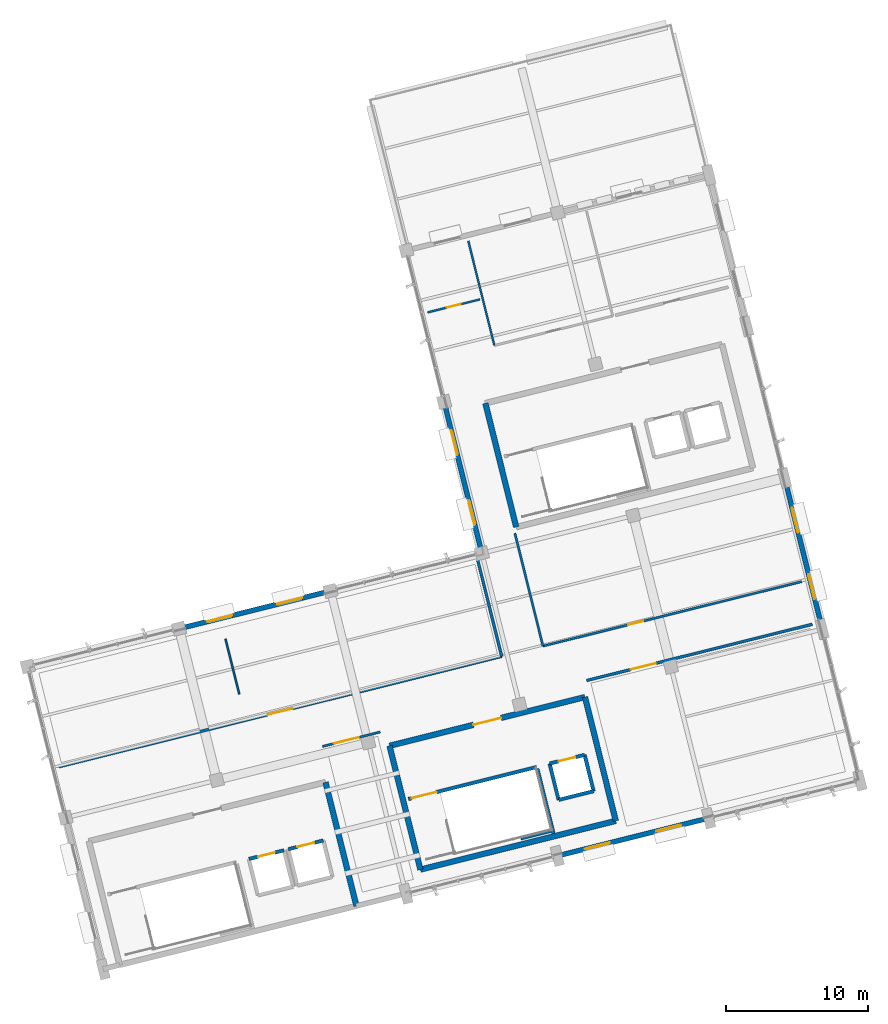
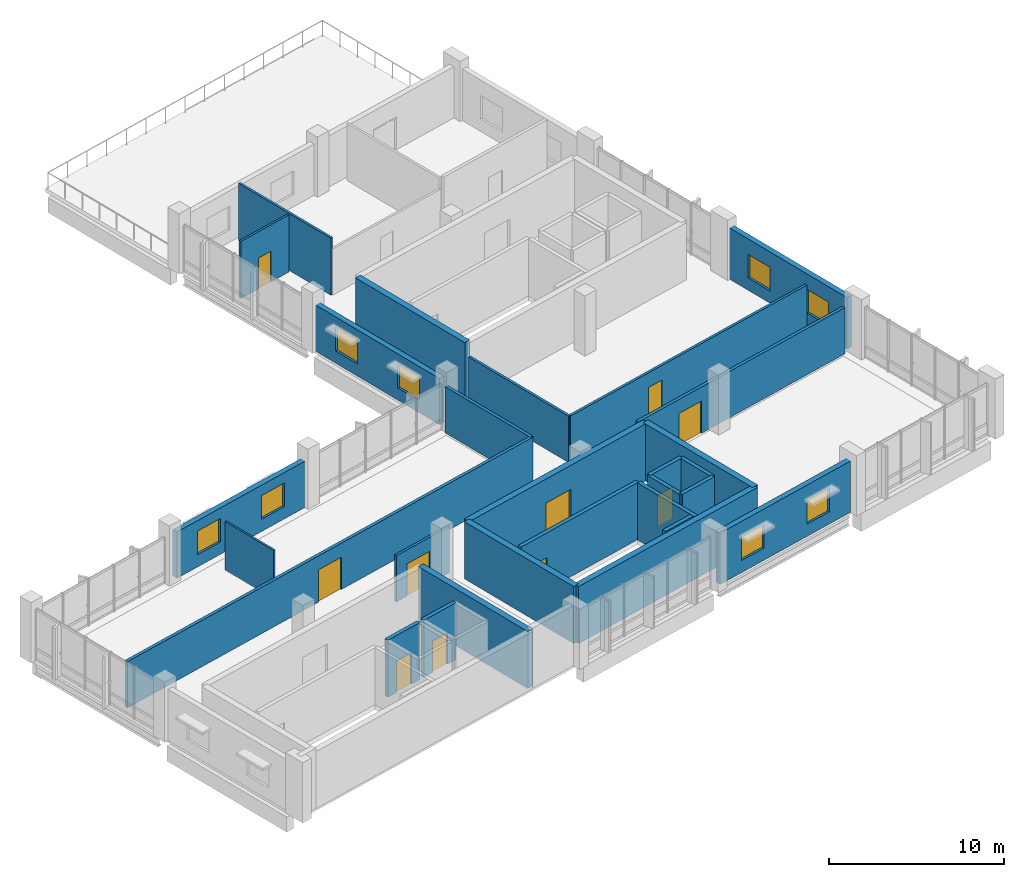
# One storey, part 19 of 22: 28 walls, 10 doors, 8 windows, 18 openings.
"""IFC4 building model written with IfcOpenShell, lengths in metres."""

from ifc_helpers import new_model, si_unit, direction, frame, frame_2d, origin, place, context, subcontext, project, spatial, rectangle, extrude, material, layer, layer_set, type_object, element, fill, save


model = new_model("IFC4")

# Units and contexts
model_context = context("Model", 3, precision=1e-05, world=origin(), true_north=direction((0.0, 1.0)))
body_context = subcontext(model_context, "Body", "Model", "MODEL_VIEW")
ifc_project = project(units=[si_unit("LENGTHUNIT", "METRE"), si_unit("AREAUNIT", "SQUARE_METRE"), si_unit("VOLUMEUNIT", "CUBIC_METRE"), si_unit("PLANEANGLEUNIT", "RADIAN"), si_unit("MASSUNIT", "GRAM", prefix="KILO")], contexts=[model_context])

# Site, building, storey
site_placement = place(None, origin())
site = spatial("IfcSite", under=ifc_project, at=site_placement, CompositionType="ELEMENT")
building_placement = place(site_placement, origin())
building = spatial("IfcBuilding", under=site, at=building_placement, Name="Khorjan Park Terminus", CompositionType="ELEMENT")
storey_placement = place(building_placement, frame((0.0, 0.0, 24.6)))
storey = spatial("IfcBuildingStorey", under=building, at=storey_placement, Name="L05", CompositionType="ELEMENT", Elevation=24.6)

# Walls
ifc_material_1 = material(Name="Concrete C50/60", Category="concrete")
ifc_layer_1 = layer(ifc_material_1, 0.4)
ifc_layer_set_1 = layer_set([ifc_layer_1], Name="Concrete C50/60")
wall_type_1 = type_object("IfcWallType", Name="CW-40", PredefinedType="SHEAR", material=ifc_layer_set_1)
wall_1_placement = place(storey_placement, frame((194.5267, 9.1125, 0.0), z_axis=(0.0, 0.0, 1.0), x_axis=(-0.241923808098, 0.970295249435, 0.0)))
element("IfcWall", 1, at=wall_1_placement, inside=storey, type_object=wall_type_1, Name="Operations West Firefighting Core concrete shear wall CW-40 (L05-E2)", PredefinedType="SHEAR", context=body_context, shape_type="SweptSolid", body=[
    extrude(rectangle(XDim=8.9999, YDim=0.4, at=frame_2d((4.5, 0.0))), origin(), (0.0, 0.0, 1.0), 3.98),
])
wall_2_placement = place(storey_placement, frame((203.62, 44.5655, 0.0), z_axis=(0.0, 0.0, 1.0), x_axis=(0.241921199913, -0.97029589973, 0.0)))
element("IfcWall", 2, at=wall_2_placement, inside=storey, type_object=wall_type_1, Name="Operations North-East Firefighting Core concrete shear wall CW-40 (L05-E4)", PredefinedType="SHEAR", context=body_context, shape_type="SweptSolid", body=[
    extrude(rectangle(XDim=9.0, YDim=0.4, at=frame_2d((4.5, 0.0))), origin(), (0.0, 0.0, 1.0), 3.98),
])
wall_3_placement = place(storey_placement, frame((199.0395, 11.6805, 0.0), z_axis=(0.0, 0.0, 1.0), x_axis=(0.970295578967, 0.241922486422, 0.0)))
element("IfcWall", 3, at=wall_3_placement, inside=storey, type_object=wall_type_1, Name="Operations Central Command Core concrete shear wall CW-40 (L05-E1)", PredefinedType="SHEAR", context=body_context, shape_type="SweptSolid", body=[
    extrude(rectangle(XDim=14.2, YDim=0.4, at=frame_2d((7.1, 0.0))), origin(), (0.0, 0.0, 1.0), 3.98),
])
wall_4_placement = place(storey_placement, frame((212.8177, 15.1158, 0.0), z_axis=(0.0, 0.0, 1.0), x_axis=(-0.241921199913, 0.97029589973, 0.0)))
element("IfcWall", 4, at=wall_4_placement, inside=storey, type_object=wall_type_1, Name="Operations Central Command Core concrete shear wall CW-40 (L05-E2)", PredefinedType="SHEAR", context=body_context, shape_type="SweptSolid", body=[
    extrude(rectangle(XDim=9.0, YDim=0.4, at=frame_2d((4.5, 0.0))), origin(), (0.0, 0.0, 1.0), 3.98),
])

# Wall, opening, door
wall_5_placement = place(storey_placement, frame((210.6404, 23.8485, 0.0), z_axis=(0.0, 0.0, 1.0), x_axis=(-0.970295578967, -0.241922486422, 0.0)))
wall_5 = element("IfcWall", 5, at=wall_5_placement, inside=storey, type_object=wall_type_1, Name="Operations Central Command Core concrete shear wall CW-40 (L05-E3)", PredefinedType="SHEAR", context=body_context, shape_type="SweptSolid", body=[
    extrude(rectangle(XDim=14.2, YDim=0.4, at=frame_2d((7.1, 0.0))), origin(), (0.0, 0.0, 1.0), 3.98),
])
opening_1_placement = place(wall_5_placement, frame((6.1, 0.0, 0.0)))
opening_1 = element("IfcOpeningElement", 6, at=opening_1_placement, cuts=wall_5, Name="Opening FD-20", PredefinedType="OPENING", context=body_context, shape_type="SweptSolid", body=[
    extrude(rectangle(XDim=2.0, YDim=2.3, at=frame_2d((1.0, 1.15))), frame((0.0, 0.21, 0.0), z_axis=(0.0, -1.0, 0.0), x_axis=(1.0, 0.0, 0.0)), (0.0, 0.0, 1.0), 0.42),
])
ifc_material_2 = material(Name="Fire-Rated Steel Double Door", Category="steel")
door_type_1 = type_object("IfcDoorType", Name="FD-20", OperationType="NOTDEFINED", PredefinedType="DOOR", material=ifc_material_2)
door_1_placement = place(opening_1_placement, origin())
door_1 = element("IfcDoor", 7, at=door_1_placement, inside=storey, type_object=door_type_1, Name="Operations Central Command Core fire-rated exit door FD-20 (L05)", OperationType="DOUBLE_DOOR_SINGLE_SWING", OverallHeight=2.3, OverallWidth=2.0, PredefinedType="DOOR", context=body_context, shape_type="SweptSolid", body=[
    extrude(rectangle(XDim=2.0, YDim=2.3, at=frame_2d((1.0, 1.15))), frame((0.0, 0.025, 0.0), z_axis=(0.0, -1.0, 0.0), x_axis=(1.0, 0.0, 0.0)), (0.0, 0.0, 1.0), 0.05),
])
fill(opening_1, door_1)

# Wall
wall_6_placement = place(storey_placement, frame((196.8622, 20.4132, 0.0), z_axis=(0.0, 0.0, 1.0), x_axis=(0.241921199913, -0.97029589973, 0.0)))
element("IfcWall", 8, at=wall_6_placement, inside=storey, type_object=wall_type_1, Name="Operations Central Command Core concrete shear wall CW-40 (L05-E4)", PredefinedType="SHEAR", context=body_context, shape_type="SweptSolid", body=[
    extrude(rectangle(XDim=9.0, YDim=0.4, at=frame_2d((4.5, 0.0))), origin(), (0.0, 0.0, 1.0), 3.98),
])

# Wall, openings, windows
ifc_material_3 = material(Name="Pigmented Precast GRC & Concrete C40/50", Category="concrete")
ifc_layer_2 = layer(ifc_material_3, 0.35)
ifc_layer_set_2 = layer_set([ifc_layer_2], Name="Pigmented Precast GRC & Concrete C40/50")
wall_type_2 = type_object("IfcWallType", Name="EW-35", PredefinedType="STANDARD", material=ifc_layer_set_2)
wall_7_placement = place(storey_placement, frame((208.9987, 12.7208, 0.0), z_axis=(0.0, 0.0, 1.0), x_axis=(0.970297165187, 0.241916124371, 0.0)))
wall_7 = element("IfcWall", 9, at=wall_7_placement, inside=storey, type_object=wall_type_2, Name="External pigmented-GRC insulated wall EW-35 (EW-V5-S-L05-B04)", PredefinedType="STANDARD", context=body_context, shape_type="SweptSolid", body=[
    extrude(rectangle(XDim=10.3697, YDim=0.35, at=frame_2d((5.1848, 0.0))), origin(), (0.0, 0.0, 1.0), 3.575),
])
opening_2_placement = place(wall_7_placement, frame((1.6924, 0.0, 0.85)))
opening_2 = element("IfcOpeningElement", 10, at=opening_2_placement, cuts=wall_7, Name="Opening WN-18", PredefinedType="OPENING", context=body_context, shape_type="SweptSolid", body=[
    extrude(rectangle(XDim=1.8, YDim=1.65, at=frame_2d((0.9, 0.825))), frame((0.0, 0.185, 0.0), z_axis=(0.0, -1.0, 0.0), x_axis=(1.0, 0.0, 0.0)), (0.0, 0.0, 1.0), 0.37),
])
opening_3_placement = place(wall_7_placement, frame((6.8773, 0.0, 0.85)))
opening_3 = element("IfcOpeningElement", 11, at=opening_3_placement, cuts=wall_7, Name="Opening WN-18", PredefinedType="OPENING", context=body_context, shape_type="SweptSolid", body=[
    extrude(rectangle(XDim=1.8, YDim=1.65, at=frame_2d((0.9, 0.825))), frame((0.0, 0.185, 0.0), z_axis=(0.0, -1.0, 0.0), x_axis=(1.0, 0.0, 0.0)), (0.0, 0.0, 1.0), 0.37),
])
ifc_material_4 = material(Name="Anodized Bronze Aluminium & Low-E Glass", Category="aluminium")
window_type = type_object("IfcWindowType", Name="WN-18", PartitioningType="SINGLE_PANEL", PredefinedType="WINDOW", material=ifc_material_4)
window_1_placement = place(opening_2_placement, origin())
window_1 = element("IfcWindow", 12, at=window_1_placement, inside=storey, type_object=window_type, Name="Solar-control exterior window WN-18 (WN-EW-V5-S-L05-B04-1)", OverallHeight=1.65, OverallWidth=1.8, PartitioningType="SINGLE_PANEL", PredefinedType="WINDOW", context=body_context, shape_type="SweptSolid", body=[
    extrude(rectangle(XDim=1.8, YDim=1.65, at=frame_2d((0.9, 0.825))), frame((0.0, 0.03, 0.0), z_axis=(0.0, -1.0, 0.0), x_axis=(1.0, 0.0, 0.0)), (0.0, 0.0, 1.0), 0.06),
])
fill(opening_2, window_1)
window_2_placement = place(opening_3_placement, origin())
window_2 = element("IfcWindow", 13, at=window_2_placement, inside=storey, type_object=window_type, Name="Solar-control exterior window WN-18 (WN-EW-V5-S-L05-B04-2)", OverallHeight=1.65, OverallWidth=1.8, PartitioningType="SINGLE_PANEL", PredefinedType="WINDOW", context=body_context, shape_type="SweptSolid", body=[
    extrude(rectangle(XDim=1.8, YDim=1.65, at=frame_2d((0.9, 0.825))), frame((0.0, 0.03, 0.0), z_axis=(0.0, -1.0, 0.0), x_axis=(1.0, 0.0, 0.0)), (0.0, 0.0, 1.0), 0.06),
])
fill(opening_3, window_2)

wall_8_placement = place(storey_placement, frame((227.2175, 29.2853, 0.0), z_axis=(0.0, 0.0, 1.0), x_axis=(-0.241919949636, 0.970296211457, 0.0)))
wall_8 = element("IfcWall", 14, at=wall_8_placement, inside=storey, type_object=wall_type_2, Name="External pigmented-GRC insulated wall EW-35 (EW-V5-E-L05-B02)", PredefinedType="STANDARD", context=body_context, shape_type="SweptSolid", body=[
    extrude(rectangle(XDim=9.6697, YDim=0.35, at=frame_2d((4.8349, 0.0))), origin(), (0.0, 0.0, 1.0), 3.575),
])
opening_4_placement = place(wall_8_placement, frame((1.5174, 0.0, 0.85)))
opening_4 = element("IfcOpeningElement", 15, at=opening_4_placement, cuts=wall_8, Name="Opening WN-18", PredefinedType="OPENING", context=body_context, shape_type="SweptSolid", body=[
    extrude(rectangle(XDim=1.8, YDim=1.65, at=frame_2d((0.9, 0.825))), frame((0.0, 0.185, 0.0), z_axis=(0.0, -1.0, 0.0), x_axis=(1.0, 0.0, 0.0)), (0.0, 0.0, 1.0), 0.37),
])
opening_5_placement = place(wall_8_placement, frame((6.3523, 0.0, 0.85)))
opening_5 = element("IfcOpeningElement", 16, at=opening_5_placement, cuts=wall_8, Name="Opening WN-18", PredefinedType="OPENING", context=body_context, shape_type="SweptSolid", body=[
    extrude(rectangle(XDim=1.8, YDim=1.65, at=frame_2d((0.9, 0.825))), frame((0.0, 0.185, 0.0), z_axis=(0.0, -1.0, 0.0), x_axis=(1.0, 0.0, 0.0)), (0.0, 0.0, 1.0), 0.37),
])
window_3_placement = place(opening_4_placement, origin())
window_3 = element("IfcWindow", 17, at=window_3_placement, inside=storey, type_object=window_type, Name="Solar-control exterior window WN-18 (WN-EW-V5-E-L05-B02-1)", OverallHeight=1.65, OverallWidth=1.8, PartitioningType="SINGLE_PANEL", PredefinedType="WINDOW", context=body_context, shape_type="SweptSolid", body=[
    extrude(rectangle(XDim=1.8, YDim=1.65, at=frame_2d((0.9, 0.825))), frame((0.0, 0.03, 0.0), z_axis=(0.0, -1.0, 0.0), x_axis=(1.0, 0.0, 0.0)), (0.0, 0.0, 1.0), 0.06),
])
fill(opening_4, window_3)
window_4_placement = place(opening_5_placement, origin())
window_4 = element("IfcWindow", 18, at=window_4_placement, inside=storey, type_object=window_type, Name="Solar-control exterior window WN-18 (WN-EW-V5-E-L05-B02-2)", OverallHeight=1.65, OverallWidth=1.8, PartitioningType="SINGLE_PANEL", PredefinedType="WINDOW", context=body_context, shape_type="SweptSolid", body=[
    extrude(rectangle(XDim=1.8, YDim=1.65, at=frame_2d((0.9, 0.825))), frame((0.0, 0.03, 0.0), z_axis=(0.0, -1.0, 0.0), x_axis=(1.0, 0.0, 0.0)), (0.0, 0.0, 1.0), 0.06),
])
fill(opening_5, window_4)

wall_9_placement = place(storey_placement, frame((200.8101, 44.2612, 0.0), z_axis=(0.0, 0.0, 1.0), x_axis=(0.241915507725, -0.97029731893, 0.0)))
wall_9 = element("IfcWall", 19, at=wall_9_placement, inside=storey, type_object=wall_type_2, Name="External pigmented-GRC insulated wall EW-35 (EW-V5-NW1-L05-B02)", PredefinedType="STANDARD", context=body_context, shape_type="SweptSolid", body=[
    extrude(rectangle(XDim=10.1697, YDim=0.35, at=frame_2d((5.0849, 0.0))), origin(), (0.0, 0.0, 1.0), 3.225),
])
opening_6_placement = place(wall_9_placement, frame((1.6424, 0.0, 0.85)))
opening_6 = element("IfcOpeningElement", 20, at=opening_6_placement, cuts=wall_9, Name="Opening WN-18", PredefinedType="OPENING", context=body_context, shape_type="SweptSolid", body=[
    extrude(rectangle(XDim=1.8, YDim=1.65, at=frame_2d((0.9, 0.825))), frame((0.0, 0.185, 0.0), z_axis=(0.0, -1.0, 0.0), x_axis=(1.0, 0.0, 0.0)), (0.0, 0.0, 1.0), 0.37),
])
opening_7_placement = place(wall_9_placement, frame((6.7272, 0.0, 0.85)))
opening_7 = element("IfcOpeningElement", 21, at=opening_7_placement, cuts=wall_9, Name="Opening WN-18", PredefinedType="OPENING", context=body_context, shape_type="SweptSolid", body=[
    extrude(rectangle(XDim=1.8, YDim=1.65, at=frame_2d((0.9, 0.825))), frame((0.0, 0.185, 0.0), z_axis=(0.0, -1.0, 0.0), x_axis=(1.0, 0.0, 0.0)), (0.0, 0.0, 1.0), 0.37),
])
window_5_placement = place(opening_6_placement, origin())
window_5 = element("IfcWindow", 22, at=window_5_placement, inside=storey, type_object=window_type, Name="Solar-control exterior window WN-18 (WN-EW-V5-NW1-L05-B02-1)", OverallHeight=1.65, OverallWidth=1.8, PartitioningType="SINGLE_PANEL", PredefinedType="WINDOW", context=body_context, shape_type="SweptSolid", body=[
    extrude(rectangle(XDim=1.8, YDim=1.65, at=frame_2d((0.9, 0.825))), frame((0.0, 0.03, 0.0), z_axis=(0.0, -1.0, 0.0), x_axis=(1.0, 0.0, 0.0)), (0.0, 0.0, 1.0), 0.06),
])
fill(opening_6, window_5)
window_6_placement = place(opening_7_placement, origin())
window_6 = element("IfcWindow", 23, at=window_6_placement, inside=storey, type_object=window_type, Name="Solar-control exterior window WN-18 (WN-EW-V5-NW1-L05-B02-2)", OverallHeight=1.65, OverallWidth=1.8, PartitioningType="SINGLE_PANEL", PredefinedType="WINDOW", context=body_context, shape_type="SweptSolid", body=[
    extrude(rectangle(XDim=1.8, YDim=1.65, at=frame_2d((0.9, 0.825))), frame((0.0, 0.03, 0.0), z_axis=(0.0, -1.0, 0.0), x_axis=(1.0, 0.0, 0.0)), (0.0, 0.0, 1.0), 0.06),
])
fill(opening_7, window_6)

wall_10_placement = place(storey_placement, frame((192.2944, 31.2294, 0.0), z_axis=(0.0, 0.0, 1.0), x_axis=(-0.970297894389, -0.241913199608, 0.0)))
wall_10 = element("IfcWall", 24, at=wall_10_placement, inside=storey, type_object=wall_type_2, Name="External pigmented-GRC insulated wall EW-35 (EW-V5-NW2-L05-B02)", PredefinedType="STANDARD", context=body_context, shape_type="SweptSolid", body=[
    extrude(rectangle(XDim=10.1698, YDim=0.35, at=frame_2d((5.0849, 0.0))), origin(), (0.0, 0.0, 1.0), 3.225),
])
opening_8_placement = place(wall_10_placement, frame((1.6424, 0.0, 0.85)))
opening_8 = element("IfcOpeningElement", 25, at=opening_8_placement, cuts=wall_10, Name="Opening WN-18", PredefinedType="OPENING", context=body_context, shape_type="SweptSolid", body=[
    extrude(rectangle(XDim=1.8, YDim=1.65, at=frame_2d((0.9, 0.825))), frame((0.0, 0.185, 0.0), z_axis=(0.0, -1.0, 0.0), x_axis=(1.0, 0.0, 0.0)), (0.0, 0.0, 1.0), 0.37),
])
opening_9_placement = place(wall_10_placement, frame((6.7273, 0.0, 0.85)))
opening_9 = element("IfcOpeningElement", 26, at=opening_9_placement, cuts=wall_10, Name="Opening WN-18", PredefinedType="OPENING", context=body_context, shape_type="SweptSolid", body=[
    extrude(rectangle(XDim=1.8, YDim=1.65, at=frame_2d((0.9, 0.825))), frame((0.0, 0.185, 0.0), z_axis=(0.0, -1.0, 0.0), x_axis=(1.0, 0.0, 0.0)), (0.0, 0.0, 1.0), 0.37),
])
window_7_placement = place(opening_8_placement, origin())
window_7 = element("IfcWindow", 27, at=window_7_placement, inside=storey, type_object=window_type, Name="Solar-control exterior window WN-18 (WN-EW-V5-NW2-L05-B02-1)", OverallHeight=1.65, OverallWidth=1.8, PartitioningType="SINGLE_PANEL", PredefinedType="WINDOW", context=body_context, shape_type="SweptSolid", body=[
    extrude(rectangle(XDim=1.8, YDim=1.65, at=frame_2d((0.9, 0.825))), frame((0.0, 0.03, 0.0), z_axis=(0.0, -1.0, 0.0), x_axis=(1.0, 0.0, 0.0)), (0.0, 0.0, 1.0), 0.06),
])
fill(opening_8, window_7)
window_8_placement = place(opening_9_placement, origin())
window_8 = element("IfcWindow", 28, at=window_8_placement, inside=storey, type_object=window_type, Name="Solar-control exterior window WN-18 (WN-EW-V5-NW2-L05-B02-2)", OverallHeight=1.65, OverallWidth=1.8, PartitioningType="SINGLE_PANEL", PredefinedType="WINDOW", context=body_context, shape_type="SweptSolid", body=[
    extrude(rectangle(XDim=1.8, YDim=1.65, at=frame_2d((0.9, 0.825))), frame((0.0, 0.03, 0.0), z_axis=(0.0, -1.0, 0.0), x_axis=(1.0, 0.0, 0.0)), (0.0, 0.0, 1.0), 0.06),
])
fill(opening_9, window_8)

# Walls
ifc_material_5 = material(Name="Acoustic Operable Folding PartitionWall")
ifc_layer_3 = layer(ifc_material_5, 0.12)
ifc_layer_set_3 = layer_set([ifc_layer_3], Name="Acoustic Operable Folding PartitionWall")
wall_type_3 = type_object("IfcWallType", Name="MV-12", PredefinedType="MOVABLE", material=ifc_layer_set_3)
wall_11_placement = place(storey_placement, frame((186.2657, 24.0579, 0.0), z_axis=(0.0, 0.0, 1.0), x_axis=(-0.241923815105, 0.970295247687, 0.0)))
element("IfcWall", 29, at=wall_11_placement, inside=storey, type_object=wall_type_3, Name="Operable acoustic folding partition MV-12 (6)", PredefinedType="MOVABLE", context=body_context, shape_type="SweptSolid", body=[
    extrude(rectangle(XDim=4.0, YDim=0.12, at=frame_2d((2.0, 0.0))), origin(), (0.0, 0.0, 1.0), 3.4),
])
ifc_material_6 = material(Name="Moisture-Resistant Sanitary Partition")
ifc_layer_4 = layer(ifc_material_6, 0.14)
ifc_layer_set_4 = layer_set([ifc_layer_4], Name="Moisture-Resistant Sanitary Partition")
wall_type_4 = type_object("IfcWallType", Name="PT-14", PredefinedType="PARTITIONING", material=ifc_layer_set_4)
wall_12_placement = place(storey_placement, frame((204.2531, 48.6397, 0.0), z_axis=(0.0, 0.0, 1.0), x_axis=(-0.241922569678, 0.970295558209, 0.0)))
element("IfcWall", 30, at=wall_12_placement, inside=storey, type_object=wall_type_4, Name="Interior acoustic partition PT-14 (L05-SWC5)", PredefinedType="PARTITIONING", context=body_context, shape_type="SweptSolid", body=[
    extrude(rectangle(XDim=7.6, YDim=0.14, at=frame_2d((3.8, 0.0))), origin(), (0.0, 0.0, 1.0), 3.98),
])

# Wall, opening, door
wall_13_placement = place(storey_placement, frame((203.2365, 51.8903, 0.0), z_axis=(0.0, 0.0, 1.0), x_axis=(-0.970295558209, -0.241922569678, 0.0)))
wall_13 = element("IfcWall", 31, at=wall_13_placement, inside=storey, type_object=wall_type_4, Name="Interior acoustic partition PT-14 (L05-AWC5)", PredefinedType="PARTITIONING", context=body_context, shape_type="SweptSolid", body=[
    extrude(rectangle(XDim=3.8, YDim=0.14, at=frame_2d((1.9, 0.0))), origin(), (0.0, 0.0, 1.0), 3.98),
])
opening_10_placement = place(wall_13_placement, frame((1.4, 0.0, 0.0)))
opening_10 = element("IfcOpeningElement", 32, at=opening_10_placement, cuts=wall_13, Name="Opening ID-10", PredefinedType="OPENING", context=body_context, shape_type="SweptSolid", body=[
    extrude(rectangle(XDim=1.0, YDim=2.15, at=frame_2d((0.5, 1.075))), frame((0.0, 0.08, 0.0), z_axis=(0.0, -1.0, 0.0), x_axis=(1.0, 0.0, 0.0)), (0.0, 0.0, 1.0), 0.16),
])
ifc_material_7 = material(Name="Acoustic Fire-Rated Single Door")
door_type_2 = type_object("IfcDoorType", Name="ID-10", OperationType="NOTDEFINED", PredefinedType="DOOR", material=ifc_material_7)
door_2_placement = place(opening_10_placement, origin())
door_2 = element("IfcDoor", 33, at=door_2_placement, inside=storey, type_object=door_type_2, Name="Interior door ID-10 (L05-AWC5)", OperationType="SINGLE_SWING_RIGHT", OverallHeight=2.15, OverallWidth=1.0, PredefinedType="DOOR", context=body_context, shape_type="SweptSolid", body=[
    extrude(rectangle(XDim=1.0, YDim=2.15, at=frame_2d((0.5, 1.075))), frame((0.0, 0.025, 0.0), z_axis=(0.0, -1.0, 0.0), x_axis=(1.0, 0.0, 0.0)), (0.0, 0.0, 1.0), 0.05),
])
fill(opening_10, door_2)

ifc_material_8 = material(Name="Insulated Metal-Stud Acoustic Partition")
ifc_layer_5 = layer(ifc_material_8, 0.16)
ifc_layer_set_5 = layer_set([ifc_layer_5], Name="Insulated Metal-Stud Acoustic Partition")
wall_type_5 = type_object("IfcWallType", Name="PT-16", PredefinedType="PARTITIONING", material=ifc_layer_set_5)
wall_14_placement = place(storey_placement, frame((225.9253, 31.988, 0.0), z_axis=(0.0, 0.0, 1.0), x_axis=(-0.970296246895, -0.241919807501, 0.0)))
wall_14 = element("IfcWall", 34, at=wall_14_placement, inside=storey, type_object=wall_type_5, Name="Interior acoustic partition PT-16 (L05-EXEC)", PredefinedType="PARTITIONING", context=body_context, shape_type="SweptSolid", body=[
    extrude(rectangle(XDim=18.8, YDim=0.16, at=frame_2d((9.4, 0.0))), origin(), (0.0, 0.0, 1.0), 3.225),
])
opening_11_placement = place(wall_14_placement, frame((11.505, 0.0, 0.0)))
opening_11 = element("IfcOpeningElement", 35, at=opening_11_placement, cuts=wall_14, Name="Opening ID-11", PredefinedType="OPENING", context=body_context, shape_type="SweptSolid", body=[
    extrude(rectangle(XDim=1.1, YDim=2.2, at=frame_2d((0.55, 1.1))), frame((0.0, 0.09, 0.0), z_axis=(0.0, -1.0, 0.0), x_axis=(1.0, 0.0, 0.0)), (0.0, 0.0, 1.0), 0.18),
])
ifc_material_9 = material(Name="Acoustic Hardwood Single Door", Category="wood")
door_type_3 = type_object("IfcDoorType", Name="ID-11", OperationType="NOTDEFINED", PredefinedType="DOOR", material=ifc_material_9)
door_3_placement = place(opening_11_placement, origin())
door_3 = element("IfcDoor", 36, at=door_3_placement, inside=storey, type_object=door_type_3, Name="Interior door ID-11 (L05-EXEC)", OperationType="SINGLE_SWING_LEFT", OverallHeight=2.2, OverallWidth=1.1, PredefinedType="DOOR", context=body_context, shape_type="SweptSolid", body=[
    extrude(rectangle(XDim=1.1, YDim=2.2, at=frame_2d((0.55, 1.1))), frame((0.0, 0.025, 0.0), z_axis=(0.0, -1.0, 0.0), x_axis=(1.0, 0.0, 0.0)), (0.0, 0.0, 1.0), 0.05),
])
fill(opening_11, door_3)

# Wall
wall_15_placement = place(storey_placement, frame((207.6837, 27.4399, 0.0), z_axis=(0.0, 0.0, 1.0), x_axis=(-0.241915773481, 0.970297252671, 0.0)))
element("IfcWall", 37, at=wall_15_placement, inside=storey, type_object=wall_type_5, Name="Interior acoustic partition PT-16 (L05-EXEC)", PredefinedType="PARTITIONING", context=body_context, shape_type="SweptSolid", body=[
    extrude(rectangle(XDim=8.2, YDim=0.16, at=frame_2d((4.1, 0.0))), origin(), (0.0, 0.0, 1.0), 3.225),
])

# Wall, opening, door
wall_16_placement = place(storey_placement, frame((192.1327, 20.3677, 0.0), z_axis=(0.0, 0.0, 1.0), x_axis=(0.970300555447, 0.241902526031, 0.0)))
wall_16 = element("IfcWall", 38, at=wall_16_placement, inside=storey, type_object=wall_type_5, Name="Interior acoustic partition PT-16 (L05-RAD)", PredefinedType="PARTITIONING", context=body_context, shape_type="SweptSolid", body=[
    extrude(rectangle(XDim=4.2, YDim=0.16, at=frame_2d((2.1, 0.0))), origin(), (0.0, 0.0, 1.0), 3.225),
])
opening_12_placement = place(wall_16_placement, frame((0.84, 0.0, 0.0)))
opening_12 = element("IfcOpeningElement", 39, at=opening_12_placement, cuts=wall_16, Name="Opening ID-18", PredefinedType="OPENING", context=body_context, shape_type="SweptSolid", body=[
    extrude(rectangle(XDim=1.8, YDim=2.25, at=frame_2d((0.9, 1.125))), frame((0.0, 0.09, 0.0), z_axis=(0.0, -1.0, 0.0), x_axis=(1.0, 0.0, 0.0)), (0.0, 0.0, 1.0), 0.18),
])
ifc_material_10 = material(Name="Acoustic Hardwood & Vision-Lite Double Door", Category="wood")
door_type_4 = type_object("IfcDoorType", Name="ID-18", OperationType="NOTDEFINED", PredefinedType="DOOR", material=ifc_material_10)
door_4_placement = place(opening_12_placement, origin())
door_4 = element("IfcDoor", 40, at=door_4_placement, inside=storey, type_object=door_type_4, Name="Interior door ID-18 (L05-RAD)", OperationType="DOUBLE_DOOR_SINGLE_SWING", OverallHeight=2.25, OverallWidth=1.8, PredefinedType="DOOR", context=body_context, shape_type="SweptSolid", body=[
    extrude(rectangle(XDim=1.8, YDim=2.25, at=frame_2d((0.9, 1.125))), frame((0.0, 0.025, 0.0), z_axis=(0.0, -1.0, 0.0), x_axis=(1.0, 0.0, 0.0)), (0.0, 0.0, 1.0), 0.05),
])
fill(opening_12, door_4)

ifc_material_11 = material(Name="Fire-Rated Acoustic Masonry & Drywall", Category="masonry")
ifc_layer_6 = layer(ifc_material_11, 0.2)
ifc_layer_set_6 = layer_set([ifc_layer_6], Name="Fire-Rated Acoustic Masonry & Drywall")
wall_type_6 = type_object("IfcWallType", Name="PT-20", PredefinedType="PARTITIONING", material=ifc_layer_set_6)
wall_17_placement = place(storey_placement, frame((210.7624, 25.0126, 0.0), z_axis=(0.0, 0.0, 1.0), x_axis=(0.970295821368, 0.241921514207, 0.0)))
wall_17 = element("IfcWall", 41, at=wall_17_placement, inside=storey, type_object=wall_type_6, Name="Interior acoustic partition PT-20 (L05-CRISIS)", PredefinedType="PARTITIONING", context=body_context, shape_type="SweptSolid", body=[
    extrude(rectangle(XDim=16.3999, YDim=0.2, at=frame_2d((8.1999, 0.0))), origin(), (0.0, 0.0, 1.0), 3.225),
])
opening_13_placement = place(wall_17_placement, frame((3.212, 0.0, 0.0)))
opening_13 = element("IfcOpeningElement", 42, at=opening_13_placement, cuts=wall_17, Name="Opening ID-18", PredefinedType="OPENING", context=body_context, shape_type="SweptSolid", body=[
    extrude(rectangle(XDim=1.8, YDim=2.25, at=frame_2d((0.9, 1.125))), frame((0.0, 0.11, 0.0), z_axis=(0.0, -1.0, 0.0), x_axis=(1.0, 0.0, 0.0)), (0.0, 0.0, 1.0), 0.22),
])
door_5_placement = place(opening_13_placement, origin())
door_5 = element("IfcDoor", 43, at=door_5_placement, inside=storey, type_object=door_type_4, Name="Interior door ID-18 (L05-CRISIS)", OperationType="DOUBLE_DOOR_SINGLE_SWING", OverallHeight=2.25, OverallWidth=1.8, PredefinedType="DOOR", context=body_context, shape_type="SweptSolid", body=[
    extrude(rectangle(XDim=1.8, YDim=2.25, at=frame_2d((0.9, 1.125))), frame((0.0, 0.025, 0.0), z_axis=(0.0, -1.0, 0.0), x_axis=(1.0, 0.0, 0.0)), (0.0, 0.0, 1.0), 0.05),
])
fill(opening_13, door_5)

# Wall
wall_18_placement = place(storey_placement, frame((203.0794, 33.5062, 0.0), z_axis=(0.0, 0.0, 1.0), x_axis=(0.241913727906, -0.970297762674, 0.0)))
element("IfcWall", 44, at=wall_18_placement, inside=storey, type_object=wall_type_6, Name="Interior acoustic partition PT-20 (L05-CTC)", PredefinedType="PARTITIONING", context=body_context, shape_type="SweptSolid", body=[
    extrude(rectangle(XDim=7.0, YDim=0.2, at=frame_2d((3.5, 0.0))), origin(), (0.0, 0.0, 1.0), 3.225),
])

# Wall, opening, door
wall_19_placement = place(storey_placement, frame((204.7728, 26.7141, 0.0), z_axis=(0.0, 0.0, 1.0), x_axis=(-0.970295576517, -0.241922496248, 0.0)))
wall_19 = element("IfcWall", 45, at=wall_19_placement, inside=storey, type_object=wall_type_6, Name="Interior acoustic partition PT-20 (L05-CTC)", PredefinedType="PARTITIONING", context=body_context, shape_type="SweptSolid", body=[
    extrude(rectangle(XDim=32.2, YDim=0.2, at=frame_2d((16.1, 0.0))), origin(), (0.0, 0.0, 1.0), 3.225),
])
opening_14_placement = place(wall_19_placement, frame((15.2, 0.0, 0.0)))
opening_14 = element("IfcOpeningElement", 46, at=opening_14_placement, cuts=wall_19, Name="Opening ID-18", PredefinedType="OPENING", context=body_context, shape_type="SweptSolid", body=[
    extrude(rectangle(XDim=1.8, YDim=2.25, at=frame_2d((0.9, 1.125))), frame((0.0, 0.11, 0.0), z_axis=(0.0, -1.0, 0.0), x_axis=(1.0, 0.0, 0.0)), (0.0, 0.0, 1.0), 0.22),
])
door_6_placement = place(opening_14_placement, origin())
door_6 = element("IfcDoor", 47, at=door_6_placement, inside=storey, type_object=door_type_4, Name="Interior door ID-18 (L05-CTC)", OperationType="DOUBLE_DOOR_SINGLE_SWING", OverallHeight=2.25, OverallWidth=1.8, PredefinedType="DOOR", context=body_context, shape_type="SweptSolid", body=[
    extrude(rectangle(XDim=1.8, YDim=2.25, at=frame_2d((0.9, 1.125))), frame((0.0, 0.025, 0.0), z_axis=(0.0, -1.0, 0.0), x_axis=(1.0, 0.0, 0.0)), (0.0, 0.0, 1.0), 0.05),
])
fill(opening_14, door_6)

ifc_material_12 = material(Name="Concrete C40/50", Category="concrete")
ifc_layer_7 = layer(ifc_material_12, 0.25)
ifc_layer_set_7 = layer_set([ifc_layer_7], Name="Concrete C40/50")
wall_type_7 = type_object("IfcWallType", Name="SW-25", PredefinedType="SOLIDWALL", material=ifc_layer_set_7)
wall_20_placement = place(storey_placement, frame((189.4141, 13.0423, 0.0), z_axis=(0.0, 0.0, 1.0), x_axis=(-0.97029284861, -0.241933436994, 0.0)))
wall_20 = element("IfcWall", 48, at=wall_20_placement, inside=storey, type_object=wall_type_7, Name="Lift L05 concrete shaft wall SW-25 (L05-3)", PredefinedType="SOLIDWALL", context=body_context, shape_type="SweptSolid", body=[
    extrude(rectangle(XDim=2.54, YDim=0.25, at=frame_2d((1.27, 0.0))), origin(), (0.0, 0.0, 1.0), 3.98),
])
opening_15_placement = place(wall_20_placement, frame((0.67, 0.0, 0.0)))
opening_15 = element("IfcOpeningElement", 49, at=opening_15_placement, cuts=wall_20, Name="Opening LD-12", PredefinedType="OPENING", context=body_context, shape_type="SweptSolid", body=[
    extrude(rectangle(XDim=1.2, YDim=2.2, at=frame_2d((0.6, 1.1))), frame((0.0, 0.135, 0.0), z_axis=(0.0, -1.0, 0.0), x_axis=(1.0, 0.0, 0.0)), (0.0, 0.0, 1.0), 0.27),
])
ifc_material_13 = material(Name="Stainless-Steel Lift Landing Sliding Door", Category="steel")
door_type_5 = type_object("IfcDoorType", Name="LD-12", OperationType="NOTDEFINED", PredefinedType="DOOR", material=ifc_material_13)
door_7_placement = place(opening_15_placement, origin())
door_7 = element("IfcDoor", 50, at=door_7_placement, inside=storey, type_object=door_type_5, Name="Lift L05 sliding landing door LD-12 (L05)", OperationType="SLIDING_TO_LEFT", OverallHeight=2.2, OverallWidth=1.2, PredefinedType="DOOR", context=body_context, shape_type="SweptSolid", body=[
    extrude(rectangle(XDim=1.2, YDim=2.2, at=frame_2d((0.6, 1.1))), frame((0.0, 0.025, 0.0), z_axis=(0.0, -1.0, 0.0), x_axis=(1.0, 0.0, 0.0)), (0.0, 0.0, 1.0), 0.05),
])
fill(opening_15, door_7)

wall_21_placement = place(storey_placement, frame((192.1891, 13.7342, 0.0), z_axis=(0.0, 0.0, 1.0), x_axis=(-0.97029284861, -0.241933436994, 0.0)))
wall_21 = element("IfcWall", 51, at=wall_21_placement, inside=storey, type_object=wall_type_7, Name="Lift L06 concrete shaft wall SW-25 (L05-3)", PredefinedType="SOLIDWALL", context=body_context, shape_type="SweptSolid", body=[
    extrude(rectangle(XDim=2.54, YDim=0.25, at=frame_2d((1.27, 0.0))), origin(), (0.0, 0.0, 1.0), 3.98),
])
opening_16_placement = place(wall_21_placement, frame((0.67, 0.0, 0.0)))
opening_16 = element("IfcOpeningElement", 52, at=opening_16_placement, cuts=wall_21, Name="Opening LD-12", PredefinedType="OPENING", context=body_context, shape_type="SweptSolid", body=[
    extrude(rectangle(XDim=1.2, YDim=2.2, at=frame_2d((0.6, 1.1))), frame((0.0, 0.135, 0.0), z_axis=(0.0, -1.0, 0.0), x_axis=(1.0, 0.0, 0.0)), (0.0, 0.0, 1.0), 0.27),
])
door_8_placement = place(opening_16_placement, origin())
door_8 = element("IfcDoor", 53, at=door_8_placement, inside=storey, type_object=door_type_5, Name="Lift L06 sliding landing door LD-12 (L05)", OperationType="SLIDING_TO_RIGHT", OverallHeight=2.2, OverallWidth=1.2, PredefinedType="DOOR", context=body_context, shape_type="SweptSolid", body=[
    extrude(rectangle(XDim=1.2, YDim=2.2, at=frame_2d((0.6, 1.1))), frame((0.0, 0.025, 0.0), z_axis=(0.0, -1.0, 0.0), x_axis=(1.0, 0.0, 0.0)), (0.0, 0.0, 1.0), 0.05),
])
fill(opening_16, door_8)

# Walls
wall_22_placement = place(storey_placement, frame((208.7902, 16.5954, 0.0), z_axis=(0.0, 0.0, 1.0), x_axis=(0.97029284861, 0.241933436994, 0.0)))
element("IfcWall", 54, at=wall_22_placement, inside=storey, type_object=wall_type_7, Name="Lift L12 concrete shaft wall SW-25 (L05-1)", PredefinedType="SOLIDWALL", context=body_context, shape_type="SweptSolid", body=[
    extrude(rectangle(XDim=2.54, YDim=0.25, at=frame_2d((1.27, 0.0))), origin(), (0.0, 0.0, 1.0), 3.98),
])
wall_23_placement = place(storey_placement, frame((211.2547, 17.2099, 0.0), z_axis=(0.0, 0.0, 1.0), x_axis=(-0.241938414856, 0.970291607413, 0.0)))
element("IfcWall", 55, at=wall_23_placement, inside=storey, type_object=wall_type_7, Name="Lift L12 concrete shaft wall SW-25 (L05-2)", PredefinedType="SOLIDWALL", context=body_context, shape_type="SweptSolid", body=[
    extrude(rectangle(XDim=2.6399, YDim=0.25, at=frame_2d((1.3199, 0.0))), origin(), (0.0, 0.0, 1.0), 3.98),
])

# Wall, opening, door
wall_24_placement = place(storey_placement, frame((210.616, 19.7714, 0.0), z_axis=(0.0, 0.0, 1.0), x_axis=(-0.97029284861, -0.241933436994, 0.0)))
wall_24 = element("IfcWall", 56, at=wall_24_placement, inside=storey, type_object=wall_type_7, Name="Lift L12 concrete shaft wall SW-25 (L05-3)", PredefinedType="SOLIDWALL", context=body_context, shape_type="SweptSolid", body=[
    extrude(rectangle(XDim=2.54, YDim=0.25, at=frame_2d((1.27, 0.0))), origin(), (0.0, 0.0, 1.0), 3.98),
])
opening_17_placement = place(wall_24_placement, frame((0.67, 0.0, 0.0)))
opening_17 = element("IfcOpeningElement", 57, at=opening_17_placement, cuts=wall_24, Name="Opening LD-12", PredefinedType="OPENING", context=body_context, shape_type="SweptSolid", body=[
    extrude(rectangle(XDim=1.2, YDim=2.2, at=frame_2d((0.6, 1.1))), frame((0.0, 0.135, 0.0), z_axis=(0.0, -1.0, 0.0), x_axis=(1.0, 0.0, 0.0)), (0.0, 0.0, 1.0), 0.27),
])
door_9_placement = place(opening_17_placement, origin())
door_9 = element("IfcDoor", 58, at=door_9_placement, inside=storey, type_object=door_type_5, Name="Lift L12 sliding landing door LD-12 (L05)", OperationType="SLIDING_TO_LEFT", OverallHeight=2.2, OverallWidth=1.2, PredefinedType="DOOR", context=body_context, shape_type="SweptSolid", body=[
    extrude(rectangle(XDim=1.2, YDim=2.2, at=frame_2d((0.6, 1.1))), frame((0.0, 0.025, 0.0), z_axis=(0.0, -1.0, 0.0), x_axis=(1.0, 0.0, 0.0)), (0.0, 0.0, 1.0), 0.05),
])
fill(opening_17, door_9)

# Wall
wall_25_placement = place(storey_placement, frame((208.1515, 19.1569, 0.0), z_axis=(0.0, 0.0, 1.0), x_axis=(0.241938414856, -0.970291607413, 0.0)))
element("IfcWall", 59, at=wall_25_placement, inside=storey, type_object=wall_type_7, Name="Lift L12 concrete shaft wall SW-25 (L05-4)", PredefinedType="SOLIDWALL", context=body_context, shape_type="SweptSolid", body=[
    extrude(rectangle(XDim=2.6399, YDim=0.25, at=frame_2d((1.3199, 0.0))), origin(), (0.0, 0.0, 1.0), 3.98),
])

# Wall, opening, door
wall_26_placement = place(storey_placement, frame((198.1901, 16.6579, 0.0), z_axis=(0.0, 0.0, 1.0), x_axis=(0.970297151331, 0.241916179943, 0.0)))
wall_26 = element("IfcWall", 60, at=wall_26_placement, inside=storey, type_object=wall_type_7, Name="Operations Central Command Core structural stairwell wall SW-25 (L05)", PredefinedType="SOLIDWALL", context=body_context, shape_type="SweptSolid", body=[
    extrude(rectangle(XDim=9.345, YDim=0.25, at=frame_2d((4.6725, 0.0))), origin(), (0.0, 0.0, 1.0), 3.98),
])
opening_18_placement = place(wall_26_placement, frame((0.25, 0.0, 0.0)))
opening_18 = element("IfcOpeningElement", 61, at=opening_18_placement, cuts=wall_26, Name="Opening FD-18", PredefinedType="OPENING", context=body_context, shape_type="SweptSolid", body=[
    extrude(rectangle(XDim=1.8, YDim=2.25, at=frame_2d((0.9, 1.125))), frame((0.0, 0.135, 0.0), z_axis=(0.0, -1.0, 0.0), x_axis=(1.0, 0.0, 0.0)), (0.0, 0.0, 1.0), 0.27),
])
door_type_6 = type_object("IfcDoorType", Name="FD-18", OperationType="NOTDEFINED", PredefinedType="DOOR", material=ifc_material_2)
door_10_placement = place(opening_18_placement, origin())
door_10 = element("IfcDoor", 62, at=door_10_placement, inside=storey, type_object=door_type_6, Name="Operations Central Command Core stairwell fire door FD-18 (L05)", OperationType="DOUBLE_DOOR_SINGLE_SWING", OverallHeight=2.25, OverallWidth=1.8, PredefinedType="DOOR", context=body_context, shape_type="SweptSolid", body=[
    extrude(rectangle(XDim=1.8, YDim=2.25, at=frame_2d((0.9, 1.125))), frame((0.0, 0.025, 0.0), z_axis=(0.0, -1.0, 0.0), x_axis=(1.0, 0.0, 0.0)), (0.0, 0.0, 1.0), 0.05),
])
fill(opening_18, door_10)

# Walls
wall_27_placement = place(storey_placement, frame((208.4272, 14.2272, 0.0), z_axis=(0.0, 0.0, 1.0), x_axis=(-0.241911120435, 0.970298412763, 0.0)))
element("IfcWall", 63, at=wall_27_placement, inside=storey, type_object=wall_type_7, Name="Operations Central Command Core stairwell end bearing wall SW-25 (L05)", PredefinedType="SOLIDWALL", context=body_context, shape_type="SweptSolid", body=[
    extrude(rectangle(XDim=4.71, YDim=0.25, at=frame_2d((2.355, 0.0))), origin(), (0.0, 0.0, 1.0), 3.98),
])
wall_28_placement = place(storey_placement, frame((206.1169, 13.8831, 0.0), z_axis=(0.0, 0.0, 1.0), x_axis=(0.97029738597, 0.241915238833, 0.0)))
element("IfcWall", 64, at=wall_28_placement, inside=storey, type_object=wall_type_7, Name="Operations Central Command Core half-landing bearing wall SW-25 (L05)", PredefinedType="SOLIDWALL", context=body_context, shape_type="SweptSolid", body=[
    extrude(rectangle(XDim=2.1999, YDim=0.25, at=frame_2d((1.0999, 0.0))), origin(), (0.0, 0.0, 1.0), 3.98),
])

save(model, "model.ifc")
